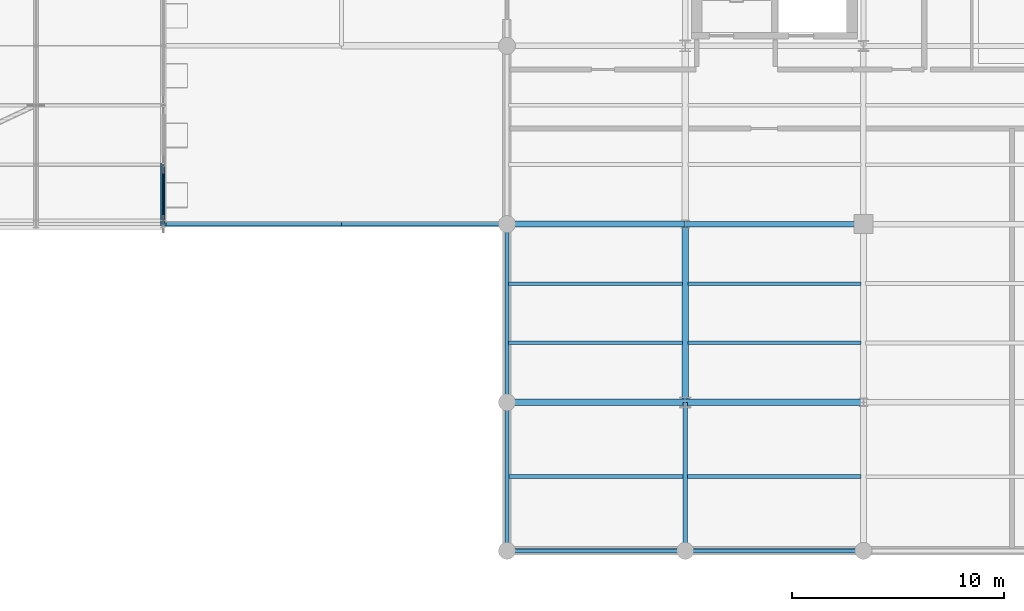
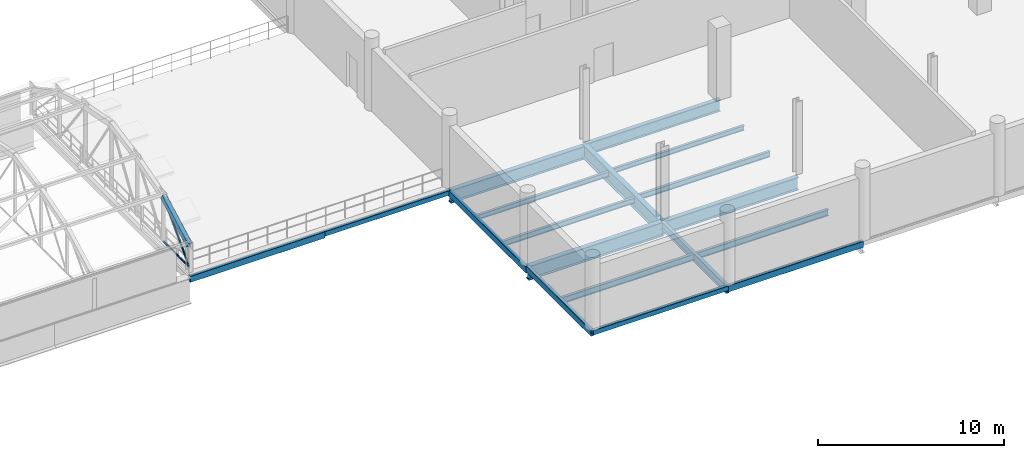
# One storey, part 47 of 109: 19 beams, 2 members.
"""IFC4 building model written with IfcOpenShell, lengths in metres."""

from ifc_helpers import new_model, si_unit, direction, frame, origin_with_axes, origin_2d_with_axis, place, context, subcontext, project, spatial, hollow_rectangle, circle, hollow_circle, i_section, extrude, material, material_profile, profile_set, type_object, element, save


model = new_model("IFC4")

# Units and contexts
model_context = context("Model", 3, precision=1e-05, world=origin_with_axes(), true_north=direction((0.0, 1.0)))
body_context = subcontext(model_context, "Body", "Model", "MODEL_VIEW")
ifc_project = project(units=[si_unit("LENGTHUNIT", "METRE"), si_unit("AREAUNIT", "SQUARE_METRE"), si_unit("VOLUMEUNIT", "CUBIC_METRE"), si_unit("PLANEANGLEUNIT", "RADIAN"), si_unit("MASSUNIT", "GRAM", prefix="KILO"), si_unit("THERMODYNAMICTEMPERATUREUNIT", "KELVIN")], contexts=[model_context])

# Site, building, storey
site_placement = place(None, origin_with_axes())
site = spatial("IfcSite", under=ifc_project, at=site_placement, CompositionType="ELEMENT")
building_placement = place(site_placement, origin_with_axes())
building = spatial("IfcBuilding", under=site, at=building_placement, Name="Montbau Bow Law Courts", CompositionType="ELEMENT")
storey_placement = place(building_placement, frame((0.0, 0.0, 10.8), z_axis=(0.0, 0.0, 1.0), x_axis=(1.0, 0.0, 0.0)))
storey = spatial("IfcBuildingStorey", under=building, at=storey_placement, Name="L02", CompositionType="ELEMENT", Elevation=10.8)

# Beams
ifc_material_1 = material(Name="Steel CSA G40.21 Grade 350WT (350 MPa)", Category="steel")
ifc_material_profile_1 = material_profile(ifc_material_1, hollow_rectangle(XDim=0.254, YDim=0.356, WallThickness=0.0127, InnerFilletRadius=0.0254, OuterFilletRadius=0.0127, at=origin_2d_with_axis()), Name="HSS356X254X13", Category="Main", Priority=0)
ifc_profile_set_1 = profile_set([ifc_material_profile_1], Name="Steel CSA G40.21 Grade 350WT (350 MPa)")
beam_type_1 = type_object("IfcBeamType", Name="B-ARC-01", PredefinedType="USERDEFINED", material=ifc_profile_set_1)
beam_1_placement = place(None, frame((105.6, 22.2, 12.5), z_axis=(0.0, 0.880824397, 0.473443113), x_axis=(-1.0, 0.0, 0.0)))
element("IfcBeam", 1, at=beam_1_placement, inside=storey, type_object=beam_type_1, Name="Barrel vault roof truss arch rib V4-091", ObjectType="ARCH_RIB", PredefinedType="USERDEFINED", context=body_context, shape_type="SweptSolid", body=[
    extrude(hollow_rectangle(XDim=0.254, YDim=0.356, WallThickness=0.0127, InnerFilletRadius=0.0254, OuterFilletRadius=0.0127, at=origin_2d_with_axis()), origin_with_axes(), (0.0, 0.0, 1.0), 3.17884),
])
ifc_material_2 = material(Name="Steel CSA G40.21 Grade 350W (350 MPa)", Category="steel")
ifc_material_profile_2 = material_profile(ifc_material_2, i_section(OverallWidth=0.306, OverallDepth=0.919, WebThickness=0.0173, FlangeThickness=0.0279, at=origin_2d_with_axis()), Name="W920X253", Category="Main", Priority=0)
ifc_profile_set_2 = profile_set([ifc_material_profile_2], Name="Steel CSA G40.21 Grade 350W (350 MPa)")
beam_type_2 = type_object("IfcBeamType", Name="B-FLR-01", PredefinedType="BEAM", material=ifc_profile_set_2)
for number, where, z_axis, x_axis, name in (
    (2, (121.8, 13.8, 10.12), (1.0, 0.0, 0.0), (0.0, 1.0, 0.0), "BM-L02-S1536:bm2_1539"),
    (3, (130.2, 13.8, 10.12), (0.0, 1.0, 0.0), (-1.0, 0.0, 0.0), "BM-L02-S1584:bm2_1587"),
):
    element("IfcBeam", number, at=place(None, frame(where, z_axis=z_axis, x_axis=x_axis)), inside=storey, type_object=beam_type_2, Name=name, PredefinedType="BEAM", context=body_context, shape_type="SweptSolid", body=[
        extrude(i_section(OverallWidth=0.306, OverallDepth=0.919, WebThickness=0.0173, FlangeThickness=0.0279, at=origin_2d_with_axis()), origin_with_axes(), (0.0, 0.0, 1.0), 8.4),
    ])
ifc_material_profile_3 = material_profile(ifc_material_2, i_section(OverallWidth=0.293, OverallDepth=0.846, WebThickness=0.0154, FlangeThickness=0.0244, at=origin_2d_with_axis()), Name="W840X210", Category="Main", Priority=0)
ifc_profile_set_3 = profile_set([ifc_material_profile_3], Name="Steel CSA G40.21 Grade 350W (350 MPa)")
beam_type_3 = type_object("IfcBeamType", Name="B-FLR-02", PredefinedType="BEAM", material=ifc_profile_set_3)
for number, where, z_axis, x_axis, name in (
    (4, (130.2, 13.8, 10.157), (1.0, 0.0, 0.0), (0.0, 1.0, 0.0), "BM-L02-S1537:bm2_1540"),
    (5, (121.8, 22.2, 10.057), (1.0, 0.0, 0.0), (0.0, 1.0, 0.0), "BM-L02-S1542:bm2_1545"),
):
    element("IfcBeam", number, at=place(None, frame(where, z_axis=z_axis, x_axis=x_axis)), inside=storey, type_object=beam_type_3, Name=name, PredefinedType="BEAM", context=body_context, shape_type="SweptSolid", body=[
        extrude(i_section(OverallWidth=0.293, OverallDepth=0.846, WebThickness=0.0154, FlangeThickness=0.0244, at=origin_2d_with_axis()), origin_with_axes(), (0.0, 0.0, 1.0), 8.4),
    ])
ifc_material_profile_4 = material_profile(ifc_material_2, i_section(OverallWidth=0.267, OverallDepth=0.766, WebThickness=0.0149, FlangeThickness=0.0236, at=origin_2d_with_axis()), Name="W760X185", Category="Main", Priority=0)
ifc_profile_set_4 = profile_set([ifc_material_profile_4], Name="Steel CSA G40.21 Grade 350W (350 MPa)")
beam_type_4 = type_object("IfcBeamType", Name="B-FLR-03", PredefinedType="BEAM", material=ifc_profile_set_4)
beam_2_placement = place(None, frame((130.2, 22.2, 10.197), z_axis=(1.0, 0.0, 0.0), x_axis=(0.0, 1.0, 0.0)))
element("IfcBeam", 6, at=beam_2_placement, inside=storey, type_object=beam_type_4, Name="BM-L02-S1543:bm2_1546", PredefinedType="BEAM", context=body_context, shape_type="SweptSolid", body=[
    extrude(i_section(OverallWidth=0.267, OverallDepth=0.766, WebThickness=0.0149, FlangeThickness=0.0236, at=origin_2d_with_axis()), origin_with_axes(), (0.0, 0.0, 1.0), 8.4),
])
ifc_material_profile_5 = material_profile(ifc_material_2, i_section(OverallWidth=0.21, OverallDepth=0.537, WebThickness=0.0109, FlangeThickness=0.0174, at=origin_2d_with_axis()), Name="W530X101", Category="Main", Priority=0)
ifc_profile_set_5 = profile_set([ifc_material_profile_5], Name="Steel CSA G40.21 Grade 350W (350 MPa)")
beam_type_5 = type_object("IfcBeamType", Name="B-FLR-06", PredefinedType="BEAM", material=ifc_profile_set_5)
beam_3_placement = place(None, frame((130.2, 6.8, 10.312), z_axis=(0.0, 1.0, 0.0), x_axis=(-1.0, 0.0, 0.0)))
element("IfcBeam", 7, at=beam_3_placement, inside=storey, type_object=beam_type_5, Name="BM-L02-S1583:bm2_1586", PredefinedType="BEAM", context=body_context, shape_type="SweptSolid", body=[
    extrude(i_section(OverallWidth=0.21, OverallDepth=0.537, WebThickness=0.0109, FlangeThickness=0.0174, at=origin_2d_with_axis()), origin_with_axes(), (0.0, 0.0, 1.0), 7.0),
])
ifc_material_profile_6 = material_profile(ifc_material_2, i_section(OverallWidth=0.179, OverallDepth=0.41, WebThickness=0.0088, FlangeThickness=0.0144, at=origin_2d_with_axis()), Name="W410X67", Category="Main", Priority=0)
ifc_profile_set_6 = profile_set([ifc_material_profile_6], Name="Steel CSA G40.21 Grade 350W (350 MPa)")
beam_type_6 = type_object("IfcBeamType", Name="B-JST-02", PredefinedType="JOIST", material=ifc_profile_set_6)
beam_4_placement = place(None, frame((121.88, 10.3, 10.375), z_axis=(1.0, 0.0, 0.0), x_axis=(0.0, 1.0, 0.0)))
element("IfcBeam", 8, at=beam_4_placement, inside=storey, type_object=beam_type_6, Name="JST-L02-S0877:jst2_0877", PredefinedType="JOIST", context=body_context, shape_type="SweptSolid", body=[
    extrude(i_section(OverallWidth=0.179, OverallDepth=0.41, WebThickness=0.0088, FlangeThickness=0.0144, at=origin_2d_with_axis()), origin_with_axes(), (0.0, 0.0, 1.0), 8.239),
])
beam_5_placement = place(None, frame((130.281, 10.3, 10.375), z_axis=(1.0, 0.0, 0.0), x_axis=(0.0, 1.0, 0.0)))
element("IfcBeam", 9, at=beam_5_placement, inside=storey, type_object=beam_type_6, Name="JST-L02-S0889:jst2_0889", PredefinedType="JOIST", context=body_context, shape_type="SweptSolid", body=[
    extrude(i_section(OverallWidth=0.179, OverallDepth=0.41, WebThickness=0.0088, FlangeThickness=0.0144, at=origin_2d_with_axis()), origin_with_axes(), (0.0, 0.0, 1.0), 8.196),
])
ifc_material_profile_7 = material_profile(ifc_material_2, i_section(OverallWidth=0.172, OverallDepth=0.358, WebThickness=0.0079, FlangeThickness=0.0131, at=origin_2d_with_axis()), Name="W360X57", Category="Main", Priority=0)
ifc_profile_set_7 = profile_set([ifc_material_profile_7], Name="Steel CSA G40.21 Grade 350W (350 MPa)")
beam_type_7 = type_object("IfcBeamType", Name="B-JST-03", PredefinedType="JOIST", material=ifc_profile_set_7)
beam_6_placement = place(None, frame((121.88, 16.6, 10.301), z_axis=(1.0, 0.0, 0.0), x_axis=(0.0, 1.0, 0.0)))
element("IfcBeam", 10, at=beam_6_placement, inside=storey, type_object=beam_type_7, Name="JST-L02-S0878:jst2_0878", PredefinedType="JOIST", context=body_context, shape_type="SweptSolid", body=[
    extrude(i_section(OverallWidth=0.172, OverallDepth=0.358, WebThickness=0.0079, FlangeThickness=0.0131, at=origin_2d_with_axis()), origin_with_axes(), (0.0, 0.0, 1.0), 8.191),
])
beam_7_placement = place(None, frame((130.329, 16.6, 10.401), z_axis=(1.0, 0.0, 0.0), x_axis=(0.0, 1.0, 0.0)))
element("IfcBeam", 11, at=beam_7_placement, inside=storey, type_object=beam_type_7, Name="JST-L02-S0890:jst2_0890", PredefinedType="JOIST", context=body_context, shape_type="SweptSolid", body=[
    extrude(i_section(OverallWidth=0.172, OverallDepth=0.358, WebThickness=0.0079, FlangeThickness=0.0131, at=origin_2d_with_axis()), origin_with_axes(), (0.0, 0.0, 1.0), 8.161),
])
ifc_material_profile_8 = material_profile(ifc_material_2, i_section(OverallWidth=0.166, OverallDepth=0.313, WebThickness=0.0066, FlangeThickness=0.0112, at=origin_2d_with_axis()), Name="W310X45", Category="Main", Priority=0)
ifc_profile_set_8 = profile_set([ifc_material_profile_8], Name="Steel CSA G40.21 Grade 350W (350 MPa)")
beam_type_8 = type_object("IfcBeamType", Name="B-JST-04", PredefinedType="JOIST", material=ifc_profile_set_8)
beam_8_placement = place(None, frame((121.88, 19.4, 10.324), z_axis=(1.0, 0.0, 0.0), x_axis=(0.0, 1.0, 0.0)))
element("IfcBeam", 12, at=beam_8_placement, inside=storey, type_object=beam_type_8, Name="JST-L02-S0879:jst2_0879", PredefinedType="JOIST", context=body_context, shape_type="SweptSolid", body=[
    extrude(i_section(OverallWidth=0.166, OverallDepth=0.313, WebThickness=0.0066, FlangeThickness=0.0112, at=origin_2d_with_axis()), origin_with_axes(), (0.0, 0.0, 1.0), 8.191),
])
beam_9_placement = place(None, frame((130.329, 19.4, 10.424), z_axis=(1.0, 0.0, 0.0), x_axis=(0.0, 1.0, 0.0)))
element("IfcBeam", 13, at=beam_9_placement, inside=storey, type_object=beam_type_8, Name="JST-L02-S0891:jst2_0891", PredefinedType="JOIST", context=body_context, shape_type="SweptSolid", body=[
    extrude(i_section(OverallWidth=0.166, OverallDepth=0.313, WebThickness=0.0066, FlangeThickness=0.0112, at=origin_2d_with_axis()), origin_with_axes(), (0.0, 0.0, 1.0), 8.161),
])
ifc_material_profile_9 = material_profile(ifc_material_1, hollow_rectangle(XDim=0.203, YDim=0.406, WallThickness=0.0127, InnerFilletRadius=0.0254, OuterFilletRadius=0.0127, at=origin_2d_with_axis()), Name="HSS406X203X13", Category="Main", Priority=0)
ifc_profile_set_9 = profile_set([ifc_material_profile_9], Name="Steel CSA G40.21 Grade 350WT (350 MPa)")
beam_type_9 = type_object("IfcBeamType", Name="B-SPN-01", PredefinedType="SPANDREL", material=ifc_profile_set_9)
for number, where, z_axis, x_axis, name in (
    (14, (105.6, 22.2, 10.277), (1.0, 0.0, 0.0), (0.0, 1.0, 0.0), "SPN-L02-S0477:bm2_0480"),
    (15, (130.2, 6.8, 10.377), (1.0, 0.0, 0.0), (0.0, 1.0, 0.0), "SPN-L02-S1531:bm2_1534"),
):
    element("IfcBeam", number, at=place(None, frame(where, z_axis=z_axis, x_axis=x_axis)), inside=storey, type_object=beam_type_9, Name=name, PredefinedType="SPANDREL", context=body_context, shape_type="SweptSolid", body=[
        extrude(hollow_rectangle(XDim=0.203, YDim=0.406, WallThickness=0.0127, InnerFilletRadius=0.0254, OuterFilletRadius=0.0127, at=origin_2d_with_axis()), origin_with_axes(), (0.0, 0.0, 1.0), 8.4),
    ])
beam_10_placement = place(None, frame((121.8, 6.8, 10.377), z_axis=(0.0, 1.0, 0.0), x_axis=(-1.0, 0.0, 0.0)))
element("IfcBeam", 16, at=beam_10_placement, inside=storey, type_object=beam_type_9, Name="SPN-L02-S1578:bm2_1581", PredefinedType="SPANDREL", context=body_context, shape_type="SweptSolid", body=[
    extrude(hollow_rectangle(XDim=0.203, YDim=0.406, WallThickness=0.0127, InnerFilletRadius=0.0254, OuterFilletRadius=0.0127, at=origin_2d_with_axis()), origin_with_axes(), (0.0, 0.0, 1.0), 7.0),
])
beam_11_placement = place(None, frame((121.8, 13.8, 10.277), z_axis=(0.0, 1.0, 0.0), x_axis=(-1.0, 0.0, 0.0)))
element("IfcBeam", 17, at=beam_11_placement, inside=storey, type_object=beam_type_9, Name="SPN-L02-S1579:bm2_1582", PredefinedType="SPANDREL", context=body_context, shape_type="SweptSolid", body=[
    extrude(hollow_rectangle(XDim=0.203, YDim=0.406, WallThickness=0.0127, InnerFilletRadius=0.0254, OuterFilletRadius=0.0127, at=origin_2d_with_axis()), origin_with_axes(), (0.0, 0.0, 1.0), 8.4),
])
ifc_material_profile_10 = material_profile(ifc_material_1, hollow_rectangle(XDim=0.203, YDim=0.305, WallThickness=0.0127, InnerFilletRadius=0.0254, OuterFilletRadius=0.0127, at=origin_2d_with_axis()), Name="HSS305X203X13", Category="Main", Priority=0)
ifc_profile_set_10 = profile_set([ifc_material_profile_10], Name="Steel CSA G40.21 Grade 350WT (350 MPa)")
beam_type_10 = type_object("IfcBeamType", Name="B-SPN-02", PredefinedType="SPANDREL", material=ifc_profile_set_10)
beam_12_placement = place(None, frame((114.0, 22.2, 10.328), z_axis=(1.0, 0.0, 0.0), x_axis=(0.0, 1.0, 0.0)))
element("IfcBeam", 18, at=beam_12_placement, inside=storey, type_object=beam_type_10, Name="SPN-L02-S0478:bm2_0481", PredefinedType="SPANDREL", context=body_context, shape_type="SweptSolid", body=[
    extrude(hollow_rectangle(XDim=0.203, YDim=0.305, WallThickness=0.0127, InnerFilletRadius=0.0254, OuterFilletRadius=0.0127, at=origin_2d_with_axis()), origin_with_axes(), (0.0, 0.0, 1.0), 7.8),
])
beam_13_placement = place(None, frame((121.8, 6.8, 10.428), z_axis=(1.0, 0.0, 0.0), x_axis=(0.0, 1.0, 0.0)))
element("IfcBeam", 19, at=beam_13_placement, inside=storey, type_object=beam_type_10, Name="SPN-L02-S1530:bm2_1533", PredefinedType="SPANDREL", context=body_context, shape_type="SweptSolid", body=[
    extrude(hollow_rectangle(XDim=0.203, YDim=0.305, WallThickness=0.0127, InnerFilletRadius=0.0254, OuterFilletRadius=0.0127, at=origin_2d_with_axis()), origin_with_axes(), (0.0, 0.0, 1.0), 8.4),
])

# Members
ifc_material_profile_11 = material_profile(ifc_material_1, hollow_circle(Radius=0.057, WallThickness=0.008, at=origin_2d_with_axis()), Name="HSS114X8.0", Category="Main", Priority=0)
ifc_profile_set_11 = profile_set([ifc_material_profile_11], Name="Steel CSA G40.21 Grade 350WT (350 MPa)")
member_type_1 = type_object("IfcMemberType", Name="M-STR-03", PredefinedType="STRUT", material=ifc_profile_set_11)
member_1_placement = place(None, frame((105.6, 22.2, 11.05), z_axis=(0.0, 0.687812781, 0.725888131), x_axis=(-1.0, 0.0, 0.0)))
element("IfcMember", 20, at=member_1_placement, inside=storey, type_object=member_type_1, Name="Barrel vault roof truss web diagonal V4-08-1", PredefinedType="STRUT", context=body_context, shape_type="SweptSolid", body=[
    extrude(hollow_circle(Radius=0.057, WallThickness=0.008, at=origin_2d_with_axis()), origin_with_axes(), (0.0, 0.0, 1.0), 4.070875),
])
ifc_material_profile_12 = material_profile(ifc_material_1, circle(Radius=0.038, at=origin_2d_with_axis()), Name="ROD76", Category="Main", Priority=0)
ifc_profile_set_12 = profile_set([ifc_material_profile_12], Name="Steel CSA G40.21 Grade 350WT (350 MPa)")
member_type_2 = type_object("IfcMemberType", Name="M-TIE-01", PredefinedType="USERDEFINED", material=ifc_profile_set_12)
member_2_placement = place(None, frame((105.6, 22.2, 11.05), z_axis=(0.0, 1.0, 0.0), x_axis=(-1.0, 0.0, 0.0)))
element("IfcMember", 21, at=member_2_placement, inside=storey, type_object=member_type_2, Name="Barrel vault roof truss tie V4-091", ObjectType="TIEBAR", PredefinedType="USERDEFINED", context=body_context, shape_type="SweptSolid", body=[
    extrude(circle(Radius=0.038, at=origin_2d_with_axis()), origin_with_axes(), (0.0, 0.0, 1.0), 2.8),
])

save(model, "model.ifc")
